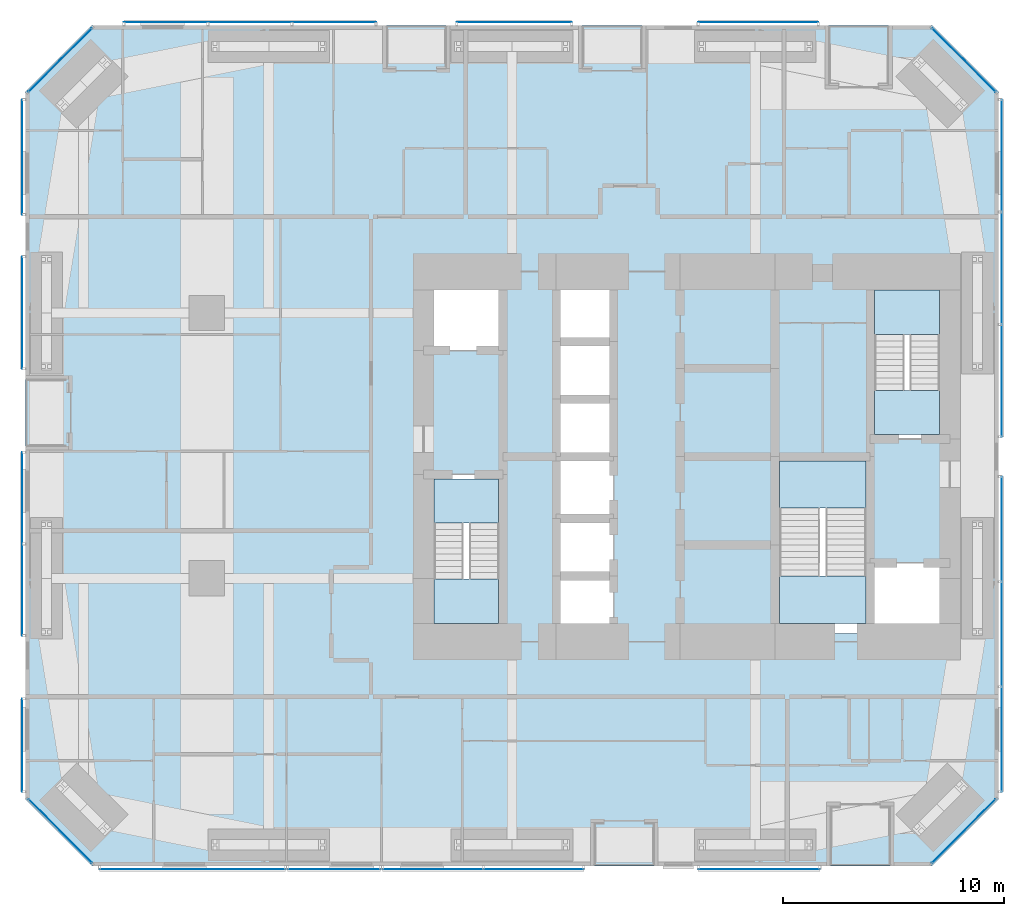
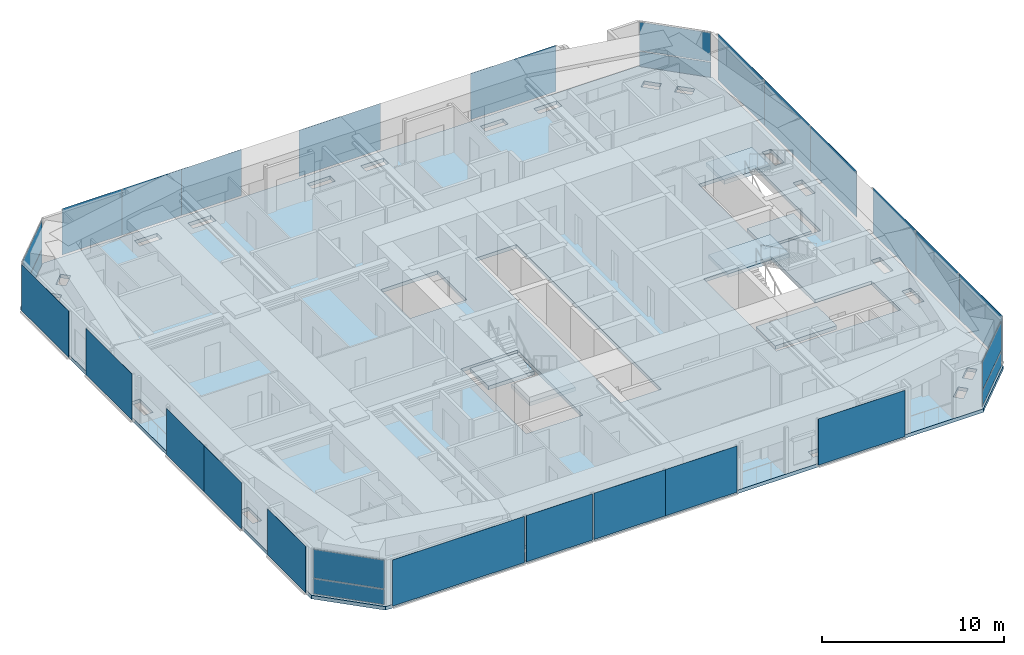
# One storey, part 16 of 24: 29 plates, 7 slabs, 20 elements without a shape of their own.
"""IFC4 building model written with IfcOpenShell, lengths in metres."""

from ifc_helpers import new_model, si_unit, direction, frame, origin, origin_2d, place, context, subcontext, project, spatial, polyline, rectangle, outline, extrude, material, layer, layer_set, type_object, element, aggregate, save


model = new_model("IFC4")

# Units and contexts
model_context = context("Model", 3, precision=1e-05, world=origin(), true_north=direction((0.0, 1.0)))
body_context = subcontext(model_context, "Body", "Model", "MODEL_VIEW")
ifc_project = project(units=[si_unit("LENGTHUNIT", "METRE"), si_unit("AREAUNIT", "SQUARE_METRE"), si_unit("VOLUMEUNIT", "CUBIC_METRE"), si_unit("PLANEANGLEUNIT", "RADIAN"), si_unit("MASSUNIT", "GRAM", prefix="KILO")], contexts=[model_context])

# Site, building, storey
site_placement = place(None, origin())
site = spatial("IfcSite", under=ifc_project, at=site_placement, CompositionType="ELEMENT")
building_placement = place(site_placement, origin())
building = spatial("IfcBuilding", under=site, at=building_placement, Name="Jalousie Tower", CompositionType="ELEMENT")
storey_placement = place(building_placement, frame((0.0, 0.0, 47.800048828125)))
storey = spatial("IfcBuildingStorey", under=building, at=storey_placement, Name="L12", CompositionType="ELEMENT", Elevation=47.800048828125)

# Curtain wall, plates
ifc_material_1 = material(Name="Aluminium curtain wall", Category="aluminium")
curtain_wall_type_1 = type_object("IfcCurtainWallType", Name="CORNER WINDOW WALL", PredefinedType="USERDEFINED", material=ifc_material_1)
curtain_wall_1_placement = place(storey_placement, origin())
curtain_wall_1 = element("IfcCurtainWall", 1, at=curtain_wall_1_placement, inside=storey, type_object=curtain_wall_type_1, Name="Corner Window Wall L12 2", ObjectType="CORNER WINDOW WALL", PredefinedType="USERDEFINED")
ifc_material_2 = material(Name="Laminated impact-rated spandrel glass", Category="glass")
ifc_layer_1 = layer(ifc_material_2, 0.028076171875)
ifc_layer_set_1 = layer_set([ifc_layer_1], Name="Laminated impact-rated spandrel glass")
plate_type_1 = type_object("IfcPlateType", Name="CORNER WINDOW WALL PANEL", PredefinedType="CURTAIN_PANEL", material=ifc_layer_set_1)
plate_1_placement = place(storey_placement, frame((44.4306640625, 1.5693359375, 0.06005859375), z_axis=(0.0, 0.0, 1.0), x_axis=(0.707106781187, 0.707106781187, 0.0)))
plate_1 = element("IfcPlate", 2, at=plate_1_placement, type_object=plate_type_1, Name="CW-C panel 1.1", PredefinedType="CURTAIN_PANEL", context=body_context, shape_type="SweptSolid", body=[
    extrude(rectangle(XDim=4.071533203125, YDim=0.028076171875, at=origin_2d()), origin(), (0.0, 0.0, 1.0), 1.010009765625),
])
plate_2_placement = place(storey_placement, frame((44.4306640625, 1.5693359375, 1.1298828125), z_axis=(0.0, 0.0, 1.0), x_axis=(0.707106781187, 0.707106781187, 0.0)))
plate_2 = element("IfcPlate", 3, at=plate_2_placement, type_object=plate_type_1, Name="CW-C panel 1.2", PredefinedType="CURTAIN_PANEL", context=body_context, shape_type="SweptSolid", body=[
    extrude(rectangle(XDim=4.071533203125, YDim=0.028076171875, at=origin_2d()), origin(), (0.0, 0.0, 1.0), 1.919921875),
])
aggregate(curtain_wall_1, [plate_1, plate_2])

curtain_wall_2_placement = place(storey_placement, origin())
curtain_wall_2 = element("IfcCurtainWall", 4, at=curtain_wall_2_placement, inside=storey, type_object=curtain_wall_type_1, Name="Corner Window Wall L12 4", ObjectType="CORNER WINDOW WALL", PredefinedType="USERDEFINED")
plate_3_placement = place(storey_placement, frame((44.4306640625, 36.4306640625, 0.06005859375), z_axis=(0.0, 0.0, 1.0), x_axis=(-0.707106781187, 0.707106781187, 0.0)))
plate_3 = element("IfcPlate", 5, at=plate_3_placement, type_object=plate_type_1, Name="CW-C panel 1.1", PredefinedType="CURTAIN_PANEL", context=body_context, shape_type="SweptSolid", body=[
    extrude(rectangle(XDim=4.071533203125, YDim=0.028076171875, at=origin_2d()), origin(), (0.0, 0.0, 1.0), 1.010009765625),
])
plate_4_placement = place(storey_placement, frame((44.4306640625, 36.4306640625, 1.1298828125), z_axis=(0.0, 0.0, 1.0), x_axis=(-0.707106781187, 0.707106781187, 0.0)))
plate_4 = element("IfcPlate", 6, at=plate_4_placement, type_object=plate_type_1, Name="CW-C panel 1.2", PredefinedType="CURTAIN_PANEL", context=body_context, shape_type="SweptSolid", body=[
    extrude(rectangle(XDim=4.071533203125, YDim=0.028076171875, at=origin_2d()), origin(), (0.0, 0.0, 1.0), 1.919921875),
])
aggregate(curtain_wall_2, [plate_3, plate_4])

curtain_wall_3_placement = place(storey_placement, origin())
curtain_wall_3 = element("IfcCurtainWall", 7, at=curtain_wall_3_placement, inside=storey, type_object=curtain_wall_type_1, Name="Corner Window Wall L12 6", ObjectType="CORNER WINDOW WALL", PredefinedType="USERDEFINED")
plate_5_placement = place(storey_placement, frame((3.5693359375, 36.4306640625, 0.06005859375), z_axis=(0.0, 0.0, 1.0), x_axis=(-0.707106781187, -0.707106781187, 0.0)))
plate_5 = element("IfcPlate", 8, at=plate_5_placement, type_object=plate_type_1, Name="CW-C panel 1.1", PredefinedType="CURTAIN_PANEL", context=body_context, shape_type="SweptSolid", body=[
    extrude(rectangle(XDim=4.071533203125, YDim=0.028076171875, at=origin_2d()), origin(), (0.0, 0.0, 1.0), 1.010009765625),
])
plate_6_placement = place(storey_placement, frame((3.5693359375, 36.4306640625, 1.1298828125), z_axis=(0.0, 0.0, 1.0), x_axis=(-0.707106781187, -0.707106781187, 0.0)))
plate_6 = element("IfcPlate", 9, at=plate_6_placement, type_object=plate_type_1, Name="CW-C panel 1.2", PredefinedType="CURTAIN_PANEL", context=body_context, shape_type="SweptSolid", body=[
    extrude(rectangle(XDim=4.071533203125, YDim=0.028076171875, at=origin_2d()), origin(), (0.0, 0.0, 1.0), 1.919921875),
])
aggregate(curtain_wall_3, [plate_5, plate_6])

curtain_wall_4_placement = place(storey_placement, origin())
curtain_wall_4 = element("IfcCurtainWall", 10, at=curtain_wall_4_placement, inside=storey, type_object=curtain_wall_type_1, Name="Corner Window Wall L12 8", ObjectType="CORNER WINDOW WALL", PredefinedType="USERDEFINED")
plate_7_placement = place(storey_placement, frame((3.5693359375, 1.5693359375, 0.06005859375), z_axis=(0.0, 0.0, 1.0), x_axis=(0.707106781187, -0.707106781187, 0.0)))
plate_7 = element("IfcPlate", 11, at=plate_7_placement, type_object=plate_type_1, Name="CW-C panel 1.1", PredefinedType="CURTAIN_PANEL", context=body_context, shape_type="SweptSolid", body=[
    extrude(rectangle(XDim=4.071533203125, YDim=0.028076171875, at=origin_2d()), origin(), (0.0, 0.0, 1.0), 1.010009765625),
])
plate_8_placement = place(storey_placement, frame((3.5693359375, 1.5693359375, 1.1298828125), z_axis=(0.0, 0.0, 1.0), x_axis=(0.707106781187, -0.707106781187, 0.0)))
plate_8 = element("IfcPlate", 12, at=plate_8_placement, type_object=plate_type_1, Name="CW-C panel 1.2", PredefinedType="CURTAIN_PANEL", context=body_context, shape_type="SweptSolid", body=[
    extrude(rectangle(XDim=4.071533203125, YDim=0.028076171875, at=origin_2d()), origin(), (0.0, 0.0, 1.0), 1.919921875),
])
aggregate(curtain_wall_4, [plate_7, plate_8])

# Slab
ifc_material_3 = material(Name="Concrete f'c 40 MPa", Category="concrete")
ifc_layer_2 = layer(ifc_material_3, 0.239990234375)
ifc_layer_set_2 = layer_set([ifc_layer_2], Name="Concrete f'c 40 MPa")
slab_type_1 = type_object("IfcSlabType", Name="FLOOR SLAB 240", PredefinedType="FLOOR", material=ifc_layer_set_2)
slab_1_placement = place(storey_placement, frame((0.0, 0.0, -0.239990234375)))
element("IfcSlab", 13, at=slab_1_placement, inside=storey, type_object=slab_type_1, Name="L12 floor slab", PredefinedType="FLOOR", context=body_context, shape_type="SweptSolid", body=[
    extrude(outline(polyline([(5.0, 0.0), (43.0, 0.0), (46.0, 3.0), (46.0, 35.0), (43.0, 38.0), (5.0, 38.0), (2.0, 35.0), (2.0, 3.0), (5.0, 0.0)]), holes=[polyline([(24.974609375, 0.663818359375), (24.974609375, 1.236083984375), (26.3642578125, 1.236083984375), (26.425048828125, 1.236083984375), (26.425048828125, 0.663818359375), (26.3642578125, 0.663818359375), (24.974609375, 0.663818359375)]), polyline([(23.025390625, 1.236083984375), (23.025390625, 0.663818359375), (21.6357421875, 0.663818359375), (21.574951171875, 0.663818359375), (21.574951171875, 1.236083984375), (21.6357421875, 1.236083984375), (23.025390625, 1.236083984375)]), polyline([(10.574951171875, 1.236083984375), (10.6357421875, 1.236083984375), (12.025390625, 1.236083984375), (12.025390625, 0.663818359375), (10.6357421875, 0.663818359375), (10.574951171875, 0.663818359375), (10.574951171875, 1.236083984375)]), polyline([(13.974609375, 1.236083984375), (15.3642578125, 1.236083984375), (15.425048828125, 1.236083984375), (15.425048828125, 0.663818359375), (15.3642578125, 0.663818359375), (13.974609375, 0.663818359375), (13.974609375, 1.236083984375)]), polyline([(5.778076171875, 1.889404296875), (5.778076171875, 1.889404296875), (5.859130859375, 1.808349609375), (5.454345703125, 1.40380859375), (5.383544921875, 1.474365234375), (5.383544921875, 1.474365234375), (4.750244140625, 2.10791015625), (5.155029296875, 2.5126953125), (5.778076171875, 1.889404296875)]), polyline([(3.889404296875, 3.778076171875), (3.889404296875, 3.778076171875), (4.5126953125, 3.155029296875), (4.10791015625, 2.750244140625), (3.474365234375, 3.383544921875), (3.474365234375, 3.383544921875), (3.40380859375, 3.454345703125), (3.808349609375, 3.859130859375), (3.889404296875, 3.778076171875)]), polyline([(3.236083984375, 10.574951171875), (2.663818359375, 10.574951171875), (2.663818359375, 10.6357421875), (2.663818359375, 12.025390625), (3.236083984375, 12.025390625), (3.236083984375, 10.6357421875), (3.236083984375, 10.574951171875)]), polyline([(26.0, 10.5), (26.0, 26.5), (28.60009765625, 26.5), (28.60009765625, 10.5), (26.0, 10.5)]), polyline([(20.0, 10.5), (23.60009765625, 10.5), (23.60009765625, 17.699951171875), (20.0, 17.699951171875), (20.0, 10.5)]), polyline([(3.236083984375, 15.3642578125), (3.236083984375, 13.974609375), (2.663818359375, 13.974609375), (2.663818359375, 15.3642578125), (2.663818359375, 15.425048828125), (3.236083984375, 15.425048828125), (3.236083984375, 15.3642578125)]), polyline([(2.663818359375, 24.025390625), (3.236083984375, 24.025390625), (3.236083984375, 22.6357421875), (3.236083984375, 22.574951171875), (2.663818359375, 22.574951171875), (2.663818359375, 22.6357421875), (2.663818359375, 24.025390625)]), polyline([(20.0, 23.300048828125), (23.60009765625, 23.300048828125), (23.60009765625, 26.5), (20.0, 26.5), (20.0, 23.300048828125)]), polyline([(3.236083984375, 25.974609375), (2.663818359375, 25.974609375), (2.663818359375, 27.3642578125), (2.663818359375, 27.425048828125), (3.236083984375, 27.425048828125), (3.236083984375, 27.3642578125), (3.236083984375, 25.974609375)]), polyline([(3.474365234375, 34.616455078125), (3.474365234375, 34.616455078125), (4.10791015625, 35.249755859375), (4.5126953125, 34.844970703125), (3.889404296875, 34.221923828125), (3.889404296875, 34.221923828125), (3.808349609375, 34.140869140625), (3.40380859375, 34.545654296875), (3.474365234375, 34.616455078125)]), polyline([(5.778076171875, 36.110595703125), (5.778076171875, 36.110595703125), (5.155029296875, 35.4873046875), (4.750244140625, 35.89208984375), (5.383544921875, 36.525634765625), (5.383544921875, 36.525634765625), (5.454345703125, 36.59619140625), (5.859130859375, 36.191650390625), (5.778076171875, 36.110595703125)]), polyline([(15.425048828125, 37.336181640625), (15.425048828125, 36.763916015625), (15.3642578125, 36.763916015625), (13.974609375, 36.763916015625), (13.974609375, 37.336181640625), (15.3642578125, 37.336181640625), (15.425048828125, 37.336181640625)]), polyline([(23.025390625, 36.763916015625), (21.6357421875, 36.763916015625), (21.574951171875, 36.763916015625), (21.574951171875, 37.336181640625), (21.6357421875, 37.336181640625), (23.025390625, 37.336181640625), (23.025390625, 36.763916015625)]), polyline([(10.574951171875, 36.763916015625), (10.574951171875, 37.336181640625), (10.6357421875, 37.336181640625), (12.025390625, 37.336181640625), (12.025390625, 36.763916015625), (10.6357421875, 36.763916015625), (10.574951171875, 36.763916015625)]), polyline([(24.974609375, 37.336181640625), (26.3642578125, 37.336181640625), (26.425048828125, 37.336181640625), (26.425048828125, 36.763916015625), (26.3642578125, 36.763916015625), (24.974609375, 36.763916015625), (24.974609375, 37.336181640625)]), polyline([(32.6357421875, 0.663818359375), (32.574951171875, 0.663818359375), (32.574951171875, 1.236083984375), (32.6357421875, 1.236083984375), (34.025390625, 1.236083984375), (34.025390625, 0.663818359375), (32.6357421875, 0.663818359375)]), polyline([(37.3642578125, 1.236083984375), (37.425048828125, 1.236083984375), (37.425048828125, 0.663818359375), (37.3642578125, 0.663818359375), (35.974609375, 0.663818359375), (35.974609375, 1.236083984375), (37.3642578125, 1.236083984375)]), polyline([(42.616455078125, 1.474365234375), (42.616455078125, 1.474365234375), (42.545654296875, 1.40380859375), (42.140869140625, 1.808349609375), (42.221923828125, 1.889404296875), (42.221923828125, 1.889404296875), (42.844970703125, 2.5126953125), (43.249755859375, 2.10791015625), (42.616455078125, 1.474365234375)]), polyline([(44.110595703125, 3.778076171875), (44.110595703125, 3.778076171875), (44.191650390625, 3.859130859375), (44.59619140625, 3.454345703125), (44.525634765625, 3.383544921875), (44.525634765625, 3.383544921875), (43.89208984375, 2.750244140625), (43.4873046875, 3.155029296875), (44.110595703125, 3.778076171875)]), polyline([(45.336181640625, 10.574951171875), (44.763916015625, 10.574951171875), (44.763916015625, 10.6357421875), (44.763916015625, 12.025390625), (45.336181640625, 12.025390625), (45.336181640625, 10.6357421875), (45.336181640625, 10.574951171875)]), polyline([(35.89990234375, 10.5), (35.89990234375, 18.5), (40.199951171875, 18.5), (40.199951171875, 13.699951171875), (43.800048828125, 13.699951171875), (43.800048828125, 10.5), (35.89990234375, 10.5)]), polyline([(45.336181640625, 13.974609375), (44.763916015625, 13.974609375), (44.763916015625, 15.3642578125), (44.763916015625, 15.425048828125), (45.336181640625, 15.425048828125), (45.336181640625, 15.3642578125), (45.336181640625, 13.974609375)]), polyline([(40.199951171875, 19.300048828125), (43.800048828125, 19.300048828125), (43.800048828125, 26.5), (40.199951171875, 26.5), (40.199951171875, 19.300048828125)]), polyline([(45.336181640625, 22.574951171875), (44.763916015625, 22.574951171875), (44.763916015625, 22.6357421875), (44.763916015625, 24.025390625), (45.336181640625, 24.025390625), (45.336181640625, 22.6357421875), (45.336181640625, 22.574951171875)]), polyline([(45.336181640625, 27.3642578125), (45.336181640625, 25.974609375), (44.763916015625, 25.974609375), (44.763916015625, 27.3642578125), (44.763916015625, 27.425048828125), (45.336181640625, 27.425048828125), (45.336181640625, 27.3642578125)]), polyline([(44.525634765625, 34.616455078125), (44.525634765625, 34.616455078125), (44.59619140625, 34.545654296875), (44.191650390625, 34.140869140625), (44.110595703125, 34.221923828125), (44.110595703125, 34.221923828125), (43.4873046875, 34.844970703125), (43.89208984375, 35.249755859375), (44.525634765625, 34.616455078125)]), polyline([(42.616455078125, 36.525634765625), (42.616455078125, 36.525634765625), (43.249755859375, 35.89208984375), (42.844970703125, 35.4873046875), (42.221923828125, 36.110595703125), (42.221923828125, 36.110595703125), (42.140869140625, 36.191650390625), (42.545654296875, 36.59619140625), (42.616455078125, 36.525634765625)]), polyline([(37.3642578125, 37.336181640625), (37.425048828125, 37.336181640625), (37.425048828125, 36.763916015625), (37.3642578125, 36.763916015625), (35.974609375, 36.763916015625), (35.974609375, 37.336181640625), (37.3642578125, 37.336181640625)]), polyline([(34.025390625, 37.336181640625), (34.025390625, 36.763916015625), (32.6357421875, 36.763916015625), (32.574951171875, 36.763916015625), (32.574951171875, 37.336181640625), (32.6357421875, 37.336181640625), (34.025390625, 37.336181640625)])]), origin(), (0.0, 0.0, 1.0), 0.239990234375),
])

# Curtain wall, plate
ifc_material_4 = material(Name="Perforated aluminium sheet", Category="aluminium")
curtain_wall_type_2 = type_object("IfcCurtainWallType", Name="SOLAR SCREEN SS-1", PredefinedType="USERDEFINED", material=ifc_material_4)
curtain_wall_5_placement = place(storey_placement, origin())
curtain_wall_5 = element("IfcCurtainWall", 14, at=curtain_wall_5_placement, inside=storey, type_object=curtain_wall_type_2, Name="Solar screen L12", ObjectType="SOLAR SCREEN SS-1", PredefinedType="USERDEFINED")
ifc_material_5 = material(Name="Perforated aluminium sheet", Category="aluminium")
ifc_layer_3 = layer(ifc_material_5, 0.006103515625)
ifc_layer_set_3 = layer_set([ifc_layer_3], Name="Perforated aluminium sheet")
plate_type_2 = type_object("IfcPlateType", Name="SOLAR SCREEN SS-1 PANEL", PredefinedType="CURTAIN_PANEL", material=ifc_layer_set_3)
plate_9_placement = place(storey_placement, frame((9.55078125, -0.150390625, 0.0), z_axis=(0.0, 0.0, 1.0), x_axis=(1.0, 0.0, 0.0)))
plate_9 = element("IfcPlate", 15, at=plate_9_placement, type_object=plate_type_2, Name="SS1 perforated panel 1", PredefinedType="CURTAIN_PANEL", context=body_context, shape_type="SweptSolid", body=[
    extrude(rectangle(XDim=8.398681640625, YDim=0.006103515625, at=origin_2d()), origin(), (0.0, 0.0, 1.0), 3.110107421875),
])
aggregate(curtain_wall_5, [plate_9])

curtain_wall_6_placement = place(storey_placement, origin())
curtain_wall_6 = element("IfcCurtainWall", 16, at=curtain_wall_6_placement, inside=storey, type_object=curtain_wall_type_2, Name="Solar screen L12", ObjectType="SOLAR SCREEN SS-1", PredefinedType="USERDEFINED")
plate_10_placement = place(storey_placement, frame((15.949951171875, -0.150390625, 0.0), z_axis=(0.0, 0.0, 1.0), x_axis=(1.0, 0.0, 0.0)))
plate_10 = element("IfcPlate", 17, at=plate_10_placement, type_object=plate_type_2, Name="SS1 perforated panel 1", PredefinedType="CURTAIN_PANEL", context=body_context, shape_type="SweptSolid", body=[
    extrude(rectangle(XDim=4.199951171875, YDim=0.006103515625, at=origin_2d()), origin(), (0.0, 0.0, 1.0), 3.110107421875),
])
aggregate(curtain_wall_6, [plate_10])

# Curtain wall, plates
curtain_wall_7_placement = place(storey_placement, origin())
curtain_wall_7 = element("IfcCurtainWall", 18, at=curtain_wall_7_placement, inside=storey, type_object=curtain_wall_type_2, Name="Solar screen L12", ObjectType="SOLAR SCREEN SS-1", PredefinedType="USERDEFINED")
plate_11_placement = place(storey_placement, frame((20.425048828125, -0.150390625, 0.0), z_axis=(0.0, 0.0, 1.0), x_axis=(1.0, 0.0, 0.0)))
plate_11 = element("IfcPlate", 19, at=plate_11_placement, type_object=plate_type_2, Name="SS1 perforated panel 1", PredefinedType="CURTAIN_PANEL", context=body_context, shape_type="SweptSolid", body=[
    extrude(rectangle(XDim=4.550048828125, YDim=0.006103515625, at=origin_2d()), origin(), (0.0, 0.0, 1.0), 3.110107421875),
])
plate_12_placement = place(storey_placement, frame((24.97509765625, -0.150390625, 0.0), z_axis=(0.0, 0.0, 1.0), x_axis=(1.0, 0.0, 0.0)))
plate_12 = element("IfcPlate", 20, at=plate_12_placement, type_object=plate_type_2, Name="SS1 perforated panel 2", PredefinedType="CURTAIN_PANEL", context=body_context, shape_type="SweptSolid", body=[
    extrude(rectangle(XDim=4.550048828125, YDim=0.006103515625, at=origin_2d()), origin(), (0.0, 0.0, 1.0), 3.110107421875),
])
aggregate(curtain_wall_7, [plate_11, plate_12])

# Curtain wall, plate
curtain_wall_8_placement = place(storey_placement, origin())
curtain_wall_8 = element("IfcCurtainWall", 21, at=curtain_wall_8_placement, inside=storey, type_object=curtain_wall_type_2, Name="Solar screen L12", ObjectType="SOLAR SCREEN SS-1", PredefinedType="USERDEFINED")
plate_13_placement = place(storey_placement, frame((35.171142578125, -0.150390625, 0.0), z_axis=(0.0, 0.0, 1.0), x_axis=(1.0, 0.0, 0.0)))
plate_13 = element("IfcPlate", 22, at=plate_13_placement, type_object=plate_type_2, Name="SS1 perforated panel 1", PredefinedType="CURTAIN_PANEL", context=body_context, shape_type="SweptSolid", body=[
    extrude(rectangle(XDim=5.507568359375, YDim=0.006103515625, at=origin_2d()), origin(), (0.0, 0.0, 1.0), 3.110107421875),
])
aggregate(curtain_wall_8, [plate_13])

# Curtain wall, plates
curtain_wall_9_placement = place(storey_placement, origin())
curtain_wall_9 = element("IfcCurtainWall", 23, at=curtain_wall_9_placement, inside=storey, type_object=curtain_wall_type_2, Name="Solar screen L12", ObjectType="SOLAR SCREEN SS-1", PredefinedType="USERDEFINED")
plate_14_placement = place(storey_placement, frame((46.150390625, 5.72607421875, 0.0), z_axis=(0.0, 0.0, 1.0), x_axis=(0.0, 1.0, 0.0)))
plate_14 = element("IfcPlate", 24, at=plate_14_placement, type_object=plate_type_2, Name="SS1 perforated panel 1", PredefinedType="CURTAIN_PANEL", context=body_context, shape_type="SweptSolid", body=[
    extrude(rectangle(XDim=4.74951171875, YDim=0.006103515625, at=origin_2d()), origin(), (0.0, 0.0, 1.0), 3.110107421875),
])
plate_15_placement = place(storey_placement, frame((46.150390625, 10.4755859375, 0.0), z_axis=(0.0, 0.0, 1.0), x_axis=(0.0, 1.0, 0.0)))
plate_15 = element("IfcPlate", 25, at=plate_15_placement, type_object=plate_type_2, Name="SS1 perforated panel 2", PredefinedType="CURTAIN_PANEL", context=body_context, shape_type="SweptSolid", body=[
    extrude(rectangle(XDim=4.74951171875, YDim=0.006103515625, at=origin_2d()), origin(), (0.0, 0.0, 1.0), 3.110107421875),
])
plate_16_placement = place(storey_placement, frame((46.150390625, 15.22509765625, 0.0), z_axis=(0.0, 0.0, 1.0), x_axis=(0.0, 1.0, 0.0)))
plate_16 = element("IfcPlate", 26, at=plate_16_placement, type_object=plate_type_2, Name="SS1 perforated panel 3", PredefinedType="CURTAIN_PANEL", context=body_context, shape_type="SweptSolid", body=[
    extrude(rectangle(XDim=4.74951171875, YDim=0.006103515625, at=origin_2d()), origin(), (0.0, 0.0, 1.0), 3.110107421875),
])
aggregate(curtain_wall_9, [plate_14, plate_15, plate_16])

curtain_wall_10_placement = place(storey_placement, origin())
curtain_wall_10 = element("IfcCurtainWall", 27, at=curtain_wall_10_placement, inside=storey, type_object=curtain_wall_type_2, Name="Solar screen L12", ObjectType="SOLAR SCREEN SS-1", PredefinedType="USERDEFINED")
plate_17_placement = place(storey_placement, frame((46.150390625, 21.94140625, 0.0), z_axis=(0.0, 0.0, 1.0), x_axis=(0.0, 1.0, 0.0)))
plate_17 = element("IfcPlate", 28, at=plate_17_placement, type_object=plate_type_2, Name="SS1 perforated panel 1", PredefinedType="CURTAIN_PANEL", context=body_context, shape_type="SweptSolid", body=[
    extrude(rectangle(XDim=5.0830078125, YDim=0.006103515625, at=origin_2d()), origin(), (0.0, 0.0, 1.0), 3.110107421875),
])
plate_18_placement = place(storey_placement, frame((46.150390625, 27.0244140625, 0.0), z_axis=(0.0, 0.0, 1.0), x_axis=(0.0, 1.0, 0.0)))
plate_18 = element("IfcPlate", 29, at=plate_18_placement, type_object=plate_type_2, Name="SS1 perforated panel 2", PredefinedType="CURTAIN_PANEL", context=body_context, shape_type="SweptSolid", body=[
    extrude(rectangle(XDim=5.0830078125, YDim=0.006103515625, at=origin_2d()), origin(), (0.0, 0.0, 1.0), 3.110107421875),
])
plate_19_placement = place(storey_placement, frame((46.150390625, 32.107177734375, 0.0), z_axis=(0.0, 0.0, 1.0), x_axis=(0.0, 1.0, 0.0)))
plate_19 = element("IfcPlate", 30, at=plate_19_placement, type_object=plate_type_2, Name="SS1 perforated panel 3", PredefinedType="CURTAIN_PANEL", context=body_context, shape_type="SweptSolid", body=[
    extrude(rectangle(XDim=5.0830078125, YDim=0.006103515625, at=origin_2d()), origin(), (0.0, 0.0, 1.0), 3.110107421875),
])
aggregate(curtain_wall_10, [plate_17, plate_18, plate_19])

# Curtain wall, plate
curtain_wall_11_placement = place(storey_placement, origin())
curtain_wall_11 = element("IfcCurtainWall", 31, at=curtain_wall_11_placement, inside=storey, type_object=curtain_wall_type_2, Name="Solar screen L12", ObjectType="SOLAR SCREEN SS-1", PredefinedType="USERDEFINED")
plate_20_placement = place(storey_placement, frame((35.1318359375, 38.150390625, 0.0), z_axis=(0.0, 0.0, 1.0), x_axis=(-1.0, 0.0, 0.0)))
plate_20 = element("IfcPlate", 32, at=plate_20_placement, type_object=plate_type_2, Name="SS1 perforated panel 1", PredefinedType="CURTAIN_PANEL", context=body_context, shape_type="SweptSolid", body=[
    extrude(rectangle(XDim=5.43359375, YDim=0.006103515625, at=origin_2d()), origin(), (0.0, 0.0, 1.0), 3.110107421875),
])
aggregate(curtain_wall_11, [plate_20])

curtain_wall_12_placement = place(storey_placement, origin())
curtain_wall_12 = element("IfcCurtainWall", 33, at=curtain_wall_12_placement, inside=storey, type_object=curtain_wall_type_2, Name="Solar screen L12", ObjectType="SOLAR SCREEN SS-1", PredefinedType="USERDEFINED")
plate_21_placement = place(storey_placement, frame((24.10009765625, 38.150390625, 0.0), z_axis=(0.0, 0.0, 1.0), x_axis=(-1.0, 0.0, 0.0)))
plate_21 = element("IfcPlate", 34, at=plate_21_placement, type_object=plate_type_2, Name="SS1 perforated panel 1", PredefinedType="CURTAIN_PANEL", context=body_context, shape_type="SweptSolid", body=[
    extrude(rectangle(XDim=5.199951171875, YDim=0.006103515625, at=origin_2d()), origin(), (0.0, 0.0, 1.0), 3.110107421875),
])
aggregate(curtain_wall_12, [plate_21])

# Curtain wall, plates
curtain_wall_13_placement = place(storey_placement, origin())
curtain_wall_13 = element("IfcCurtainWall", 35, at=curtain_wall_13_placement, inside=storey, type_object=curtain_wall_type_2, Name="Solar screen L12", ObjectType="SOLAR SCREEN SS-1", PredefinedType="USERDEFINED")
plate_22_placement = place(storey_placement, frame((15.949951171875, 38.150390625, 0.0), z_axis=(0.0, 0.0, 1.0), x_axis=(-1.0, 0.0, 0.0)))
plate_22 = element("IfcPlate", 36, at=plate_22_placement, type_object=plate_type_2, Name="SS1 perforated panel 1", PredefinedType="CURTAIN_PANEL", context=body_context, shape_type="SweptSolid", body=[
    extrude(rectangle(XDim=3.800048828125, YDim=0.006103515625, at=origin_2d()), origin(), (0.0, 0.0, 1.0), 3.110107421875),
])
plate_23_placement = place(storey_placement, frame((12.14990234375, 38.150390625, 0.0), z_axis=(0.0, 0.0, 1.0), x_axis=(-1.0, 0.0, 0.0)))
plate_23 = element("IfcPlate", 37, at=plate_23_placement, type_object=plate_type_2, Name="SS1 perforated panel 2", PredefinedType="CURTAIN_PANEL", context=body_context, shape_type="SweptSolid", body=[
    extrude(rectangle(XDim=3.800048828125, YDim=0.006103515625, at=origin_2d()), origin(), (0.0, 0.0, 1.0), 3.110107421875),
])
plate_24_placement = place(storey_placement, frame((8.35009765625, 38.150390625, 0.0), z_axis=(0.0, 0.0, 1.0), x_axis=(-1.0, 0.0, 0.0)))
plate_24 = element("IfcPlate", 38, at=plate_24_placement, type_object=plate_type_2, Name="SS1 perforated panel 3", PredefinedType="CURTAIN_PANEL", context=body_context, shape_type="SweptSolid", body=[
    extrude(rectangle(XDim=3.800048828125, YDim=0.006103515625, at=origin_2d()), origin(), (0.0, 0.0, 1.0), 3.110107421875),
])
aggregate(curtain_wall_13, [plate_22, plate_23, plate_24])

# Curtain wall, plate
curtain_wall_14_placement = place(storey_placement, origin())
curtain_wall_14 = element("IfcCurtainWall", 39, at=curtain_wall_14_placement, inside=storey, type_object=curtain_wall_type_2, Name="Solar screen L12", ObjectType="SOLAR SCREEN SS-1", PredefinedType="USERDEFINED")
plate_25_placement = place(storey_placement, frame((1.849609375, 32.04931640625, 0.0), z_axis=(0.0, 0.0, 1.0), x_axis=(0.0, -1.0, 0.0)))
plate_25 = element("IfcPlate", 40, at=plate_25_placement, type_object=plate_type_2, Name="SS1 perforated panel 1", PredefinedType="CURTAIN_PANEL", context=body_context, shape_type="SweptSolid", body=[
    extrude(rectangle(XDim=5.19873046875, YDim=0.006103515625, at=origin_2d()), origin(), (0.0, 0.0, 1.0), 3.110107421875),
])
aggregate(curtain_wall_14, [plate_25])

curtain_wall_15_placement = place(storey_placement, origin())
curtain_wall_15 = element("IfcCurtainWall", 41, at=curtain_wall_15_placement, inside=storey, type_object=curtain_wall_type_2, Name="Solar screen L12", ObjectType="SOLAR SCREEN SS-1", PredefinedType="USERDEFINED")
plate_26_placement = place(storey_placement, frame((1.849609375, 25.012451171875, 0.0), z_axis=(0.0, 0.0, 1.0), x_axis=(0.0, -1.0, 0.0)))
plate_26 = element("IfcPlate", 42, at=plate_26_placement, type_object=plate_type_2, Name="SS1 perforated panel 1", PredefinedType="CURTAIN_PANEL", context=body_context, shape_type="SweptSolid", body=[
    extrude(rectangle(XDim=5.074951171875, YDim=0.006103515625, at=origin_2d()), origin(), (0.0, 0.0, 1.0), 3.110107421875),
])
aggregate(curtain_wall_15, [plate_26])

# Curtain wall, plates
curtain_wall_16_placement = place(storey_placement, origin())
curtain_wall_16 = element("IfcCurtainWall", 43, at=curtain_wall_16_placement, inside=storey, type_object=curtain_wall_type_2, Name="Solar screen L12", ObjectType="SOLAR SCREEN SS-1", PredefinedType="USERDEFINED")
plate_27_placement = place(storey_placement, frame((1.849609375, 16.62744140625, 0.0), z_axis=(0.0, 0.0, 1.0), x_axis=(0.0, -1.0, 0.0)))
plate_27 = element("IfcPlate", 44, at=plate_27_placement, type_object=plate_type_2, Name="SS1 perforated panel 1", PredefinedType="CURTAIN_PANEL", context=body_context, shape_type="SweptSolid", body=[
    extrude(rectangle(XDim=4.14501953125, YDim=0.006103515625, at=origin_2d()), origin(), (0.0, 0.0, 1.0), 3.110107421875),
])
plate_28_placement = place(storey_placement, frame((1.849609375, 12.482421875, 0.0), z_axis=(0.0, 0.0, 1.0), x_axis=(0.0, -1.0, 0.0)))
plate_28 = element("IfcPlate", 45, at=plate_28_placement, type_object=plate_type_2, Name="SS1 perforated panel 2", PredefinedType="CURTAIN_PANEL", context=body_context, shape_type="SweptSolid", body=[
    extrude(rectangle(XDim=4.14501953125, YDim=0.006103515625, at=origin_2d()), origin(), (0.0, 0.0, 1.0), 3.110107421875),
])
aggregate(curtain_wall_16, [plate_27, plate_28])

# Curtain wall, plate
curtain_wall_17_placement = place(storey_placement, origin())
curtain_wall_17 = element("IfcCurtainWall", 46, at=curtain_wall_17_placement, inside=storey, type_object=curtain_wall_type_2, Name="Solar screen L12", ObjectType="SOLAR SCREEN SS-1", PredefinedType="USERDEFINED")
plate_29_placement = place(storey_placement, frame((1.849609375, 5.45068359375, 0.0), z_axis=(0.0, 0.0, 1.0), x_axis=(0.0, -1.0, 0.0)))
plate_29 = element("IfcPlate", 47, at=plate_29_placement, type_object=plate_type_2, Name="SS1 perforated panel 1", PredefinedType="CURTAIN_PANEL", context=body_context, shape_type="SweptSolid", body=[
    extrude(rectangle(XDim=4.19873046875, YDim=0.006103515625, at=origin_2d()), origin(), (0.0, 0.0, 1.0), 3.110107421875),
])
aggregate(curtain_wall_17, [plate_29])

# Stair, slabs
ifc_material_6 = material(Name="Concrete f'c 40 MPa", Category="concrete")
stair_type = type_object("IfcStairType", Name="EXIT STAIR", PredefinedType="HALF_TURN_STAIR", material=ifc_material_6)
stair_1_placement = place(storey_placement, origin())
stair_1 = element("IfcStair", 48, at=stair_1_placement, inside=storey, type_object=stair_type, Name="Exit stair A L12", PredefinedType="HALF_TURN_STAIR")
ifc_material_7 = material(Name="Concrete f'c 40 MPa", Category="concrete")
ifc_layer_4 = layer(ifc_material_7, 0.25)
ifc_layer_set_4 = layer_set([ifc_layer_4], Name="Concrete f'c 40 MPa")
slab_type_2 = type_object("IfcSlabType", Name="STAIR LANDING 250", PredefinedType="LANDING", material=ifc_layer_set_4)
slab_2_placement = place(storey_placement, frame((0.0, 0.0, -0.25)))
slab_2 = element("IfcSlab", 49, at=slab_2_placement, type_object=slab_type_2, Name="ST-A landing 1", PredefinedType="LANDING", context=body_context, shape_type="SweptSolid", body=[
    extrude(outline(polyline([(20.47509765625, 15.49755859375), (23.39990234375, 15.49755859375), (23.39990234375, 17.5), (20.47509765625, 17.5), (20.47509765625, 15.49755859375)])), origin(), (0.0, 0.0, 1.0), 0.25),
])
slab_3_placement = place(storey_placement, frame((0.0, 0.0, 1.425048828125)))
slab_3 = element("IfcSlab", 50, at=slab_3_placement, type_object=slab_type_2, Name="ST-A landing 2", PredefinedType="LANDING", context=body_context, shape_type="SweptSolid", body=[
    extrude(outline(polyline([(20.47509765625, 10.949951171875), (23.39990234375, 10.949951171875), (23.39990234375, 12.9775390625), (20.47509765625, 12.9775390625), (20.47509765625, 10.949951171875)])), origin(), (0.0, 0.0, 1.0), 0.25),
])
aggregate(stair_1, [slab_2, slab_3])

stair_2_placement = place(storey_placement, origin())
stair_2 = element("IfcStair", 51, at=stair_2_placement, inside=storey, type_object=stair_type, Name="Exit stair B L12", PredefinedType="HALF_TURN_STAIR")
slab_4_placement = place(storey_placement, frame((0.0, 0.0, -0.25)))
slab_4 = element("IfcSlab", 52, at=slab_4_placement, type_object=slab_type_2, Name="ST-B landing 1", PredefinedType="LANDING", context=body_context, shape_type="SweptSolid", body=[
    extrude(outline(polyline([(40.39990234375, 19.5), (43.324951171875, 19.5), (43.324951171875, 21.50244140625), (40.39990234375, 21.50244140625), (40.39990234375, 19.5)])), origin(), (0.0, 0.0, 1.0), 0.25),
])
slab_5_placement = place(storey_placement, frame((0.0, 0.0, 1.425048828125)))
slab_5 = element("IfcSlab", 53, at=slab_5_placement, type_object=slab_type_2, Name="ST-B landing 2", PredefinedType="LANDING", context=body_context, shape_type="SweptSolid", body=[
    extrude(outline(polyline([(40.39990234375, 24.0224609375), (43.324951171875, 24.0224609375), (43.324951171875, 26.050048828125), (40.39990234375, 26.050048828125), (40.39990234375, 24.0224609375)])), origin(), (0.0, 0.0, 1.0), 0.25),
])
aggregate(stair_2, [slab_4, slab_5])

stair_3_placement = place(storey_placement, origin())
stair_3 = element("IfcStair", 54, at=stair_3_placement, inside=storey, type_object=stair_type, Name="Exit stair C L12", PredefinedType="HALF_TURN_STAIR")
slab_6_placement = place(storey_placement, frame((0.0, 0.0, -0.25)))
slab_6 = element("IfcSlab", 55, at=slab_6_placement, type_object=slab_type_2, Name="ST-C landing 1", PredefinedType="LANDING", context=body_context, shape_type="SweptSolid", body=[
    extrude(outline(polyline([(36.10009765625, 10.949951171875), (40.0, 10.949951171875), (40.0, 13.097412109375), (36.10009765625, 13.097412109375), (36.10009765625, 10.949951171875)])), origin(), (0.0, 0.0, 1.0), 0.25),
])
slab_7_placement = place(storey_placement, frame((0.0, 0.0, 1.425048828125)))
slab_7 = element("IfcSlab", 56, at=slab_7_placement, type_object=slab_type_2, Name="ST-C landing 2", PredefinedType="LANDING", context=body_context, shape_type="SweptSolid", body=[
    extrude(outline(polyline([(36.10009765625, 16.177490234375), (40.0, 16.177490234375), (40.0, 18.300048828125), (36.10009765625, 18.300048828125), (36.10009765625, 16.177490234375)])), origin(), (0.0, 0.0, 1.0), 0.25),
])
aggregate(stair_3, [slab_6, slab_7])

save(model, "model.ifc")
